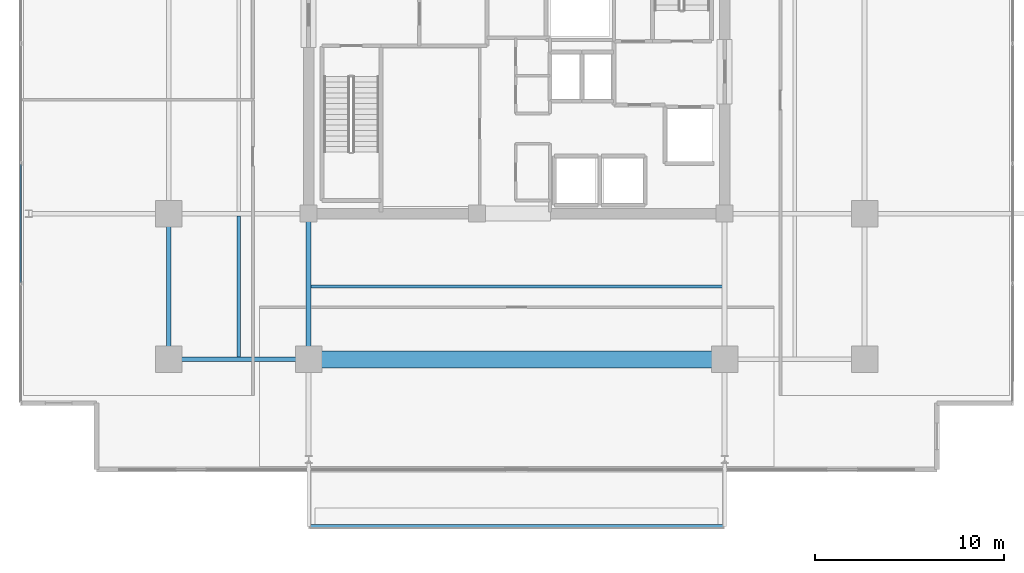
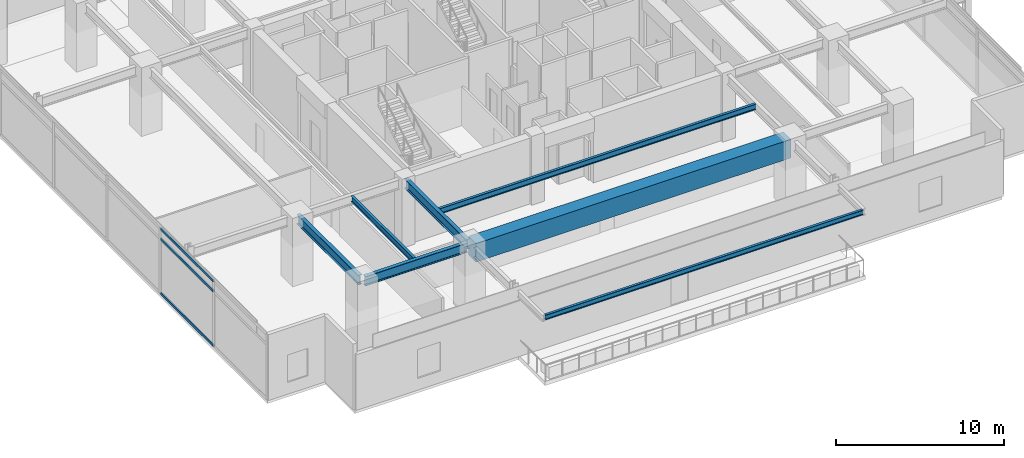
# One storey, part 3 of 21: 7 beams, 3 members, 1 element without a shape of its own.
"""IFC4 building model written with IfcOpenShell, lengths in metres."""

from ifc_helpers import new_model, si_unit, direction, frame, origin, origin_2d, place, context, subcontext, project, spatial, rectangle, hollow_rectangle, i_section, extrude, material, material_profile, profile_set, type_object, element, aggregate, save


model = new_model("IFC4")

# Units and contexts
model_context = context("Model", 3, precision=1e-05, world=origin(), true_north=direction((0.0, 1.0)))
body_context = subcontext(model_context, "Body", "Model", "MODEL_VIEW")
ifc_project = project(units=[si_unit("LENGTHUNIT", "METRE"), si_unit("AREAUNIT", "SQUARE_METRE"), si_unit("VOLUMEUNIT", "CUBIC_METRE"), si_unit("PLANEANGLEUNIT", "RADIAN"), si_unit("MASSUNIT", "GRAM", prefix="KILO")], contexts=[model_context])

# Site, building, storey
site_placement = place(None, origin())
site = spatial("IfcSite", under=ifc_project, at=site_placement, CompositionType="ELEMENT")
building_placement = place(site_placement, origin())
building = spatial("IfcBuilding", under=site, at=building_placement, Name="Kovane Verandah Tower", CompositionType="ELEMENT")
storey_placement = place(building_placement, frame((0.0, 0.0, 238.199951171875)))
storey = spatial("IfcBuildingStorey", under=building, at=storey_placement, Name="L55", CompositionType="ELEMENT", Elevation=238.199951171875)

# Beams
ifc_material_1 = material(Name="Concrete C80/95", Category="concrete")
ifc_material_profile_1 = material_profile(ifc_material_1, rectangle(XDim=0.89990234375, YDim=1.35009765625, at=origin_2d()), Name="RCB900x1350")
ifc_profile_set_1 = profile_set([ifc_material_profile_1], Name="Concrete C80/95")
beam_type_1 = type_object("IfcBeamType", Name="BM-TR-900x1350", PredefinedType="BEAM", material=ifc_profile_set_1)
beam_1_placement = place(storey_placement, frame((29.179931640625, 10.800048828125, 4.110107421875), z_axis=(1.0, 0.0, 0.0), x_axis=(0.0, 1.0, 0.0)))
element("IfcBeam", 1, at=beam_1_placement, inside=storey, type_object=beam_type_1, Name="L55 Primary Tower Girder G-RS2", PredefinedType="BEAM", context=body_context, shape_type="SweptSolid", body=[
    extrude(rectangle(XDim=0.89990234375, YDim=1.35009765625, at=origin_2d()), origin(), (0.0, 0.0, 1.0), 21.64013671875),
])
ifc_material_2 = material(Name="Steel S355", Category="steel")
ifc_material_profile_2 = material_profile(ifc_material_2, i_section(OverallWidth=0.255859375, OverallDepth=0.69287109375, WebThickness=0.014404296875, FlangeThickness=0.023681640625, FilletRadius=0.01513671875, at=origin_2d()), Name="UB686x254x170")
ifc_profile_set_2 = profile_set([ifc_material_profile_2], Name="Steel S355")
beam_type_2 = type_object("IfcBeamType", Name="BM-UB686x170", PredefinedType="BEAM", material=ifc_profile_set_2)
beam_2_placement = place(storey_placement, frame((21.780029296875, 10.800048828125, 4.438720703125), z_axis=(1.0, 0.0, 0.0), x_axis=(0.0, 1.0, 0.0)))
element("IfcBeam", 2, at=beam_2_placement, inside=storey, type_object=beam_type_2, Name="L55 Primary Tower Girder G-RS1", PredefinedType="BEAM", context=body_context, shape_type="SweptSolid", body=[
    extrude(i_section(OverallWidth=0.255859375, OverallDepth=0.69287109375, WebThickness=0.014404296875, FlangeThickness=0.023681640625, FilletRadius=0.01513671875, at=origin_2d()), origin(), (0.0, 0.0, 1.0), 7.0400390625),
])
for number, where, z_axis, x_axis, name in (
    (3, (21.60009765625, 10.97998046875, 4.438720703125), (0.0, 1.0, 0.0), (-1.0, 0.0, 0.0), "L55 Primary Tower Girder G-RW1"),
    (4, (29.0, 18.320068359375, 4.438720703125), (0.0, -1.0, 0.0), (1.0, 0.0, 0.0), "L55 Primary Tower Girder G-S1"),
):
    element("IfcBeam", number, at=place(storey_placement, frame(where, z_axis=z_axis, x_axis=x_axis)), inside=storey, type_object=beam_type_2, Name=name, PredefinedType="BEAM", context=body_context, shape_type="SweptSolid", body=[
        extrude(i_section(OverallWidth=0.255859375, OverallDepth=0.69287109375, WebThickness=0.014404296875, FlangeThickness=0.023681640625, FilletRadius=0.01513671875, at=origin_2d()), origin(), (0.0, 0.0, 1.0), 7.340087890625),
    ])

# Curtain wall, members
ifc_material_3 = material(Name="Champagne Anodised Aluminium Frame with Low-E Clear Laminated Glass", Category="aluminium")
curtain_wall_type = type_object("IfcCurtainWallType", Name="CW-SYS-03-MID", PredefinedType="NOTDEFINED", material=ifc_material_3)
curtain_wall_placement = place(storey_placement, origin())
curtain_wall = element("IfcCurtainWall", 5, at=curtain_wall_placement, inside=storey, type_object=curtain_wall_type, Name="L55 W Unitised Curtain Wall", PredefinedType="NOTDEFINED")
ifc_material_4 = material(Name="Champagne Anodised Aluminium 6063-T6", Category="aluminium")
ifc_material_profile_3 = material_profile(ifc_material_4, hollow_rectangle(XDim=0.0849609375, YDim=0.18994140625, WallThickness=0.00390625, at=origin_2d()), Name="AL85x190x4")
ifc_profile_set_3 = profile_set([ifc_material_profile_3], Name="Champagne Anodised Aluminium 6063-T6")
member_type = type_object("IfcMemberType", Name="CW-TRN-85x190", PredefinedType="USERDEFINED", material=ifc_profile_set_3)
member_1_placement = place(storey_placement, frame((13.779296875, 21.10888671875, 0.050048828125), z_axis=(0.0, -1.0, 0.0), x_axis=(1.0, 0.0, 0.0)))
member_1 = element("IfcMember", 6, at=member_1_placement, type_object=member_type, Name="L55 W Unitised Curtain Wall Transom TB Bay 5", ObjectType="TRANSOM", PredefinedType="USERDEFINED", context=body_context, shape_type="SweptSolid", body=[
    extrude(hollow_rectangle(XDim=0.0849609375, YDim=0.18994140625, WallThickness=0.00390625, at=origin_2d()), origin(), (0.0, 0.0, 1.0), 6.2412109375),
])
member_2_placement = place(storey_placement, frame((13.779296875, 21.10888671875, 4.005126953125), z_axis=(0.0, -1.0, 0.0), x_axis=(1.0, 0.0, 0.0)))
member_2 = element("IfcMember", 7, at=member_2_placement, type_object=member_type, Name="L55 W Unitised Curtain Wall Transom TM Bay 5", ObjectType="TRANSOM", PredefinedType="USERDEFINED", context=body_context, shape_type="SweptSolid", body=[
    extrude(hollow_rectangle(XDim=0.0849609375, YDim=0.18994140625, WallThickness=0.00390625, at=origin_2d()), origin(), (0.0, 0.0, 1.0), 6.2412109375),
])
member_3_placement = place(storey_placement, frame((13.779296875, 21.10888671875, 4.735107421875), z_axis=(0.0, -1.0, 0.0), x_axis=(1.0, 0.0, 0.0)))
member_3 = element("IfcMember", 8, at=member_3_placement, type_object=member_type, Name="L55 W Unitised Curtain Wall Transom TT Bay 5", ObjectType="TRANSOM", PredefinedType="USERDEFINED", context=body_context, shape_type="SweptSolid", body=[
    extrude(hollow_rectangle(XDim=0.0849609375, YDim=0.18994140625, WallThickness=0.00390625, at=origin_2d()), origin(), (0.0, 0.0, 1.0), 6.2412109375),
])
aggregate(curtain_wall, [member_1, member_2, member_3])

# Beams
ifc_material_profile_4 = material_profile(ifc_material_2, i_section(OverallWidth=0.179443359375, OverallDepth=0.412841796875, WebThickness=0.009521484375, FlangeThickness=0.01611328125, FilletRadius=0.01025390625, at=origin_2d()), Name="UB406x178x74")
ifc_profile_set_4 = profile_set([ifc_material_profile_4], Name="Steel S355")
beam_type_3 = type_object("IfcBeamType", Name="JST-UB406x74", PredefinedType="JOIST", material=ifc_profile_set_4)
beam_3_placement = place(storey_placement, frame((29.1259765625, 14.64990234375, 4.57861328125), z_axis=(1.0, 0.0, 0.0), x_axis=(0.0, 1.0, 0.0)))
element("IfcBeam", 9, at=beam_3_placement, inside=storey, type_object=beam_type_3, Name="L55 Secondary Composite Joist J-S1", PredefinedType="JOIST", context=body_context, shape_type="SweptSolid", body=[
    extrude(i_section(OverallWidth=0.179443359375, OverallDepth=0.412841796875, WebThickness=0.009521484375, FlangeThickness=0.01611328125, FilletRadius=0.01025390625, at=origin_2d()), origin(), (0.0, 0.0, 1.0), 21.748046875),
])
beam_4_placement = place(storey_placement, frame((25.300048828125, 10.92578125, 4.57861328125), z_axis=(0.0, 1.0, 0.0), x_axis=(-1.0, 0.0, 0.0)))
element("IfcBeam", 10, at=beam_4_placement, inside=storey, type_object=beam_type_3, Name="L55 Secondary Composite Joist J-SW1", PredefinedType="JOIST", context=body_context, shape_type="SweptSolid", body=[
    extrude(i_section(OverallWidth=0.179443359375, OverallDepth=0.412841796875, WebThickness=0.009521484375, FlangeThickness=0.01611328125, FilletRadius=0.01025390625, at=origin_2d()), origin(), (0.0, 0.0, 1.0), 7.4482421875),
])
ifc_material_profile_5 = material_profile(ifc_material_2, i_section(OverallWidth=0.173095703125, OverallDepth=0.36328125, WebThickness=0.009033203125, FlangeThickness=0.015625, FilletRadius=0.01025390625, at=origin_2d()), Name="UB356x171x67")
ifc_profile_set_5 = profile_set([ifc_material_profile_5], Name="Steel S355")
beam_type_4 = type_object("IfcBeamType", Name="SPD-UB356x67", PredefinedType="USERDEFINED", material=ifc_profile_set_5)
beam_5_placement = place(storey_placement, frame((29.094482421875, 1.969970703125, 4.578369140625), z_axis=(1.0, 0.0, 0.0), x_axis=(0.0, 1.0, 0.0)))
element("IfcBeam", 11, at=beam_5_placement, inside=storey, type_object=beam_type_4, Name="L55 South Planter Edge Spandrel", ObjectType="SPANDREL", PredefinedType="USERDEFINED", context=body_context, shape_type="SweptSolid", body=[
    extrude(i_section(OverallWidth=0.173095703125, OverallDepth=0.36328125, WebThickness=0.009033203125, FlangeThickness=0.015625, FilletRadius=0.01025390625, at=origin_2d()), origin(), (0.0, 0.0, 1.0), 21.81103515625),
])

save(model, "model.ifc")
